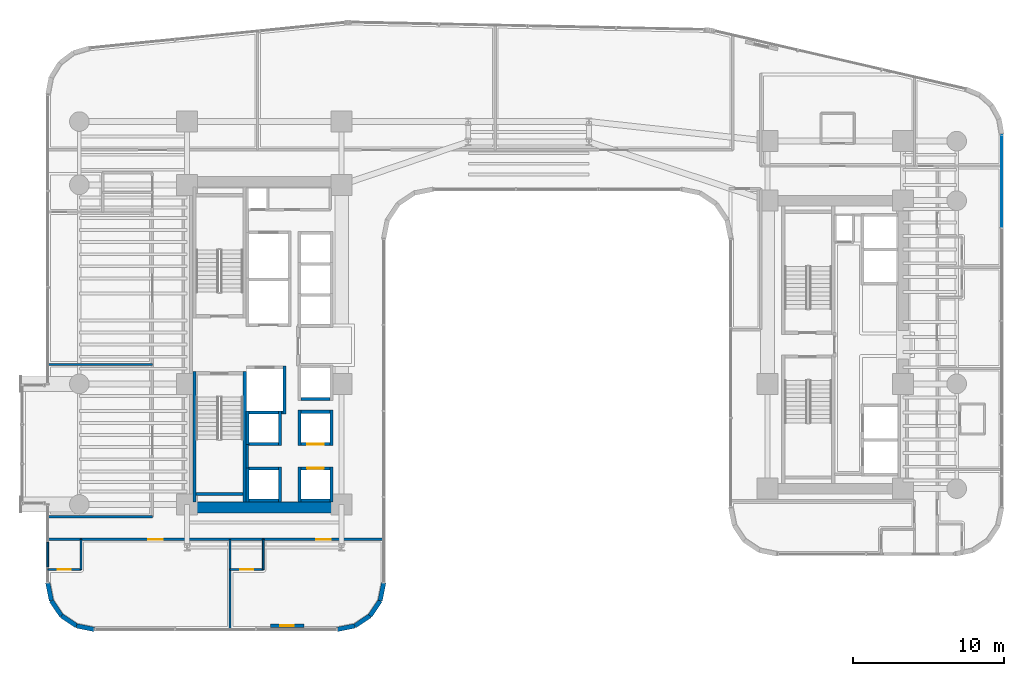
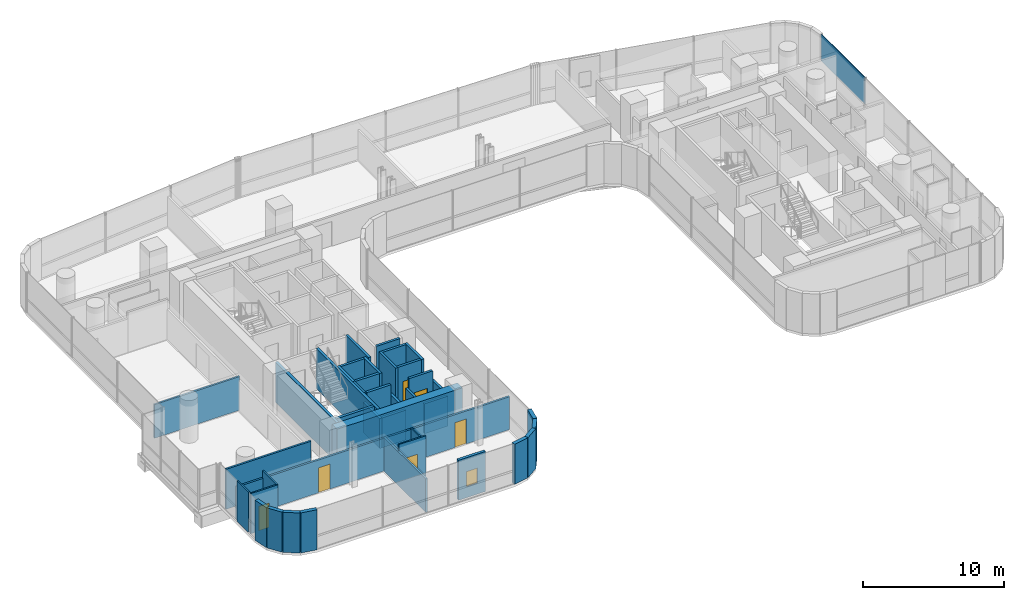
# One storey, part 30 of 40: 41 walls, 6 doors, 1 plate, 1 window, 7 openings, 1 element without a shape of its own.
"""IFC4 building model written with IfcOpenShell, lengths in metres."""

from ifc_helpers import new_model, si_unit, direction, frame, frame_2d, origin, origin_2d, place, context, subcontext, project, spatial, rectangle, extrude, source, transform, mapped, material, layer, layer_set, type_object, element, fill, aggregate, save


model = new_model("IFC4")

# Units and contexts
model_context = context("Model", 3, precision=1e-05, world=origin(), true_north=direction((0.0, 1.0)))
body_context = subcontext(model_context, "Body", "Model", "MODEL_VIEW")
ifc_project = project(units=[si_unit("LENGTHUNIT", "METRE"), si_unit("AREAUNIT", "SQUARE_METRE"), si_unit("VOLUMEUNIT", "CUBIC_METRE"), si_unit("PLANEANGLEUNIT", "RADIAN"), si_unit("MASSUNIT", "GRAM", prefix="KILO")], contexts=[model_context])

# Site, building, storey
site_placement = place(None, origin())
site = spatial("IfcSite", under=ifc_project, at=site_placement, CompositionType="ELEMENT")
building_placement = place(site_placement, origin())
building = spatial("IfcBuilding", under=site, at=building_placement, Name="Valdorenza Pilgrim Sanctuary Tower", CompositionType="ELEMENT")
storey_placement = place(building_placement, frame((0.0, 0.0, 66.699951171875)))
storey = spatial("IfcBuildingStorey", under=building, at=storey_placement, Name="L16", CompositionType="ELEMENT", Elevation=66.699951171875)

# Curtain wall, plate
ifc_material_1 = material(Name="Curtain-wall IGU glazing", Category="glass")
curtain_wall_type = type_object("IfcCurtainWallType", Name="CW-SYS-03", PredefinedType="NOTDEFINED", material=ifc_material_1)
curtain_wall_placement = place(storey_placement, origin())
curtain_wall = element("IfcCurtainWall", 1, at=curtain_wall_placement, inside=storey, type_object=curtain_wall_type, Name="L16 Curtain Wall CW-L16-1-21", PredefinedType="NOTDEFINED")
ifc_material_2 = material(Name="Ceramic-fritted low-E IGU glazing", Category="glass")
ifc_layer_1 = layer(ifc_material_2, 0.035888671875, Name="Ceramic-fritted low-E IGU glazing")
ifc_layer_set_1 = layer_set([ifc_layer_1], Name="Ceramic-fritted low-E IGU glazing")
plate_type = type_object("IfcPlateType", Name="CW-GLZ-IGU", PredefinedType="USERDEFINED", material=ifc_layer_set_1)
shared_shape = source(origin(), body_context, "Body", "SweptSolid", [
    extrude(rectangle(XDim=6.16357421875, YDim=0.050048828125, at=origin_2d()), origin(), (0.0, 0.0, 1.0), 2.320068359375),
])
plate_placement = place(storey_placement, frame((31.389892578125, 10.853271484375, 1.1298828125), z_axis=(0.0, 0.0, 1.0), x_axis=(0.0, -1.0, 0.0)))
plate = element("IfcPlate", 2, at=plate_placement, type_object=plate_type, Name="CW-L16-1-21 Facade Panel 1", ObjectType="GLAZING", PredefinedType="USERDEFINED", context=body_context, shape_type="MappedRepresentation", body=[
    mapped(shared_shape, transform((0.0, 0.0, 0.0), x_axis=(1.0, 0.0, 0.0), y_axis=(0.0, 1.0, 0.0), z_axis=(0.0, 0.0, 1.0), scale=1.0)),
])
aggregate(curtain_wall, [plate])

# Wall
ifc_material_3 = material(Name="Acoustic twin-stud gypsum partition", Category="gypsum")
ifc_layer_2 = layer(ifc_material_3, 0.159912109375, Name="Acoustic twin-stud gypsum partition")
ifc_layer_set_2 = layer_set([ifc_layer_2], Name="Acoustic twin-stud gypsum partition")
wall_type_1 = type_object("IfcWallType", Name="WAL-COR-160", PredefinedType="PARTITIONING", material=ifc_layer_set_2)
wall_1_placement = place(storey_placement, frame((-18.64990234375, -8.179931640625, 0.0), z_axis=(0.0, 0.0, 1.0), x_axis=(0.0, 1.0, 0.0)))
element("IfcWall", 3, at=wall_1_placement, inside=storey, type_object=wall_type_1, Name="L16 Core A South Lift Hall West Wall", PredefinedType="PARTITIONING", context=body_context, shape_type="SweptSolid", body=[
    extrude(rectangle(XDim=1.559814453125, YDim=0.159912109375, at=frame_2d((0.77978515625, 0.0))), origin(), (0.0, 0.0, 1.0), 3.4599609375),
])

# Wall, openings, doors
wall_2_placement = place(storey_placement, frame((-31.889892578125, -12.919921875, 0.0), z_axis=(0.0, 0.0, 1.0), x_axis=(1.0, 0.0, 0.0)))
wall_2 = element("IfcWall", 4, at=wall_2_placement, inside=storey, type_object=wall_type_1, Name="L16 South Wing Corridor Wall", PredefinedType="PARTITIONING", context=body_context, shape_type="SweptSolid", body=[
    extrude(rectangle(XDim=22.27978515625, YDim=0.159912109375, at=frame_2d((11.139892578125, 0.0))), origin(), (0.0, 0.0, 1.0), 2.833984375),
])
opening_1_placement = place(wall_2_placement, frame((6.669921875, 0.0, 0.0)))
opening_1 = element("IfcOpeningElement", 5, at=opening_1_placement, cuts=wall_2, Name="Opening DR-UN1", PredefinedType="OPENING", context=body_context, shape_type="SweptSolid", body=[
    extrude(rectangle(XDim=0.949951171875, YDim=2.14990234375, at=frame_2d((0.47509765625, 1.074951171875))), frame((0.0, 0.0947265625, 0.0), z_axis=(0.0, -1.0, 0.0), x_axis=(1.0, 0.0, 0.0)), (0.0, 0.0, 1.0), 0.189697265625),
])
opening_2_placement = place(wall_2_placement, frame((17.81005859375, 0.0, 0.0)))
opening_2 = element("IfcOpeningElement", 6, at=opening_2_placement, cuts=wall_2, Name="Opening DR-UN1", PredefinedType="OPENING", context=body_context, shape_type="SweptSolid", body=[
    extrude(rectangle(XDim=0.949951171875, YDim=2.14990234375, at=frame_2d((0.47509765625, 1.074951171875))), frame((0.0, 0.0947265625, 0.0), z_axis=(0.0, -1.0, 0.0), x_axis=(1.0, 0.0, 0.0)), (0.0, 0.0, 1.0), 0.189697265625),
])
ifc_material_4 = material(Name="Solid-core European oak timber", Category="wood")
door_type_1 = type_object("IfcDoorType", Name="DR-UNIT-950", OperationType="NOTDEFINED", PredefinedType="DOOR", material=ifc_material_4)
door_1_placement = place(opening_1_placement, origin())
door_1 = element("IfcDoor", 7, at=door_1_placement, inside=storey, type_object=door_type_1, Name="L16 South Guest Room L16-S1 Entrance Door", OperationType="SINGLE_SWING_RIGHT", OverallHeight=2.14990234375, OverallWidth=0.949951171875, PredefinedType="DOOR", context=body_context, shape_type="SweptSolid", body=[
    extrude(rectangle(XDim=0.949951171875, YDim=2.14990234375, at=frame_2d((0.47509765625, 1.074951171875))), frame((0.0, 0.02490234375, 0.0), z_axis=(0.0, -1.0, 0.0), x_axis=(1.0, 0.0, 0.0)), (0.0, 0.0, 1.0), 0.050048828125),
])
fill(opening_1, door_1)
door_2_placement = place(opening_2_placement, origin())
door_2 = element("IfcDoor", 8, at=door_2_placement, inside=storey, type_object=door_type_1, Name="L16 South Guest Room L16-S2 Entrance Door", OperationType="SINGLE_SWING_RIGHT", OverallHeight=2.14990234375, OverallWidth=0.949951171875, PredefinedType="DOOR", context=body_context, shape_type="SweptSolid", body=[
    extrude(rectangle(XDim=0.949951171875, YDim=2.14990234375, at=frame_2d((0.47509765625, 1.074951171875))), frame((0.0, 0.02490234375, 0.0), z_axis=(0.0, -1.0, 0.0), x_axis=(1.0, 0.0, 0.0)), (0.0, 0.0, 1.0), 0.050048828125),
])
fill(opening_2, door_2)

# Walls
wall_3_placement = place(storey_placement, frame((-31.889892578125, -11.419921875, 0.0), z_axis=(0.0, 0.0, 1.0), x_axis=(1.0, 0.0, 0.0)))
element("IfcWall", 9, at=wall_3_placement, inside=storey, type_object=wall_type_1, Name="L16 South-West Corridor North Wall", PredefinedType="PARTITIONING", context=body_context, shape_type="SweptSolid", body=[
    extrude(rectangle(XDim=6.93994140625, YDim=0.159912109375, at=frame_2d((3.469970703125, 0.0))), origin(), (0.0, 0.0, 1.0), 3.4599609375),
])
ifc_material_5 = material(Name="Concrete C60/75", Category="concrete")
ifc_layer_3 = layer(ifc_material_5, 0.699951171875, Name="Concrete C60/75")
ifc_layer_set_3 = layer_set([ifc_layer_3], Name="Concrete C60/75")
wall_type_2 = type_object("IfcWallType", Name="WAL-COR-700", PredefinedType="SHEAR", material=ifc_layer_set_3)
wall_4_placement = place(storey_placement, frame((-22.64990234375, -10.800048828125, 0.0), z_axis=(0.0, 0.0, 1.0), x_axis=(1.0, 0.0, 0.0)))
element("IfcWall", 10, at=wall_4_placement, inside=storey, type_object=wall_type_2, Name="L16 Split Core A Shear Wall S", PredefinedType="SHEAR", context=body_context, shape_type="SweptSolid", body=[
    extrude(rectangle(XDim=10.25, YDim=0.699951171875, at=frame_2d((5.125, 0.0))), origin(), (0.0, 0.0, 1.0), 3.4599609375),
])
ifc_material_6 = material(Name="Honed travertine limestone", Category="masonry")
ifc_layer_4 = layer(ifc_material_6, 0.300048828125, Name="Honed travertine limestone")
ifc_layer_set_4 = layer_set([ifc_layer_4], Name="Honed travertine limestone")
wall_type_3 = type_object("IfcWallType", Name="WAL-EXT-300", PredefinedType="SOLIDWALL", material=ifc_layer_set_4)
wall_5_placement = place(storey_placement, frame((-9.610107421875, -15.789306640625, 0.0), z_axis=(0.0, 0.0, 1.0), x_axis=(-0.194996050505, -0.980804027463, 0.0)))
element("IfcWall", 11, at=wall_5_placement, inside=storey, type_object=wall_type_3, Name="L16 Rounded Wind-Corner Stone Pier 42", PredefinedType="SOLIDWALL", context=body_context, shape_type="SweptSolid", body=[
    extrude(rectangle(XDim=1.2158203125, YDim=0.300048828125, at=frame_2d((0.60791015625, 0.0))), origin(), (0.0, 0.0, 1.0), 3.4599609375),
])
for number, where, z_axis, x_axis, name in (
    (12, (-9.84716796875, -16.981689453125, 0.0), (0.0, 0.0, 1.0), (-0.555635100982, -0.831426265255, 0.0), "L16 Rounded Wind-Corner Stone Pier 43"),
    (13, (-10.5166015625, -17.9833984375, 0.0), (0.0, 0.0, 1.0), (-0.831426265255, -0.555635100982, 0.0), "L16 Rounded Wind-Corner Stone Pier 44"),
):
    element("IfcWall", number, at=place(storey_placement, frame(where, z_axis=z_axis, x_axis=x_axis)), inside=storey, type_object=wall_type_3, Name=name, PredefinedType="SOLIDWALL", context=body_context, shape_type="SweptSolid", body=[
        extrude(rectangle(XDim=1.204833984375, YDim=0.300048828125, at=frame_2d((0.6025390625, 0.0))), origin(), (0.0, 0.0, 1.0), 3.4599609375),
    ])
wall_6_placement = place(storey_placement, frame((-11.518310546875, -18.65283203125, 0.0), z_axis=(0.0, 0.0, 1.0), x_axis=(-0.980804027463, -0.194996050505, 0.0)))
element("IfcWall", 14, at=wall_6_placement, inside=storey, type_object=wall_type_3, Name="L16 Rounded Wind-Corner Stone Pier 45", PredefinedType="SOLIDWALL", context=body_context, shape_type="SweptSolid", body=[
    extrude(rectangle(XDim=1.2158203125, YDim=0.300048828125, at=frame_2d((0.60791015625, 0.0))), origin(), (0.0, 0.0, 1.0), 3.4599609375),
])

# Wall, opening, window
wall_7_placement = place(storey_placement, frame((-14.910888671875, -18.64990234375, 0.0), z_axis=(0.0, 0.0, 1.0), x_axis=(-1.0, 0.0, 0.0)))
wall_7 = element("IfcWall", 15, at=wall_7_placement, inside=storey, type_object=wall_type_3, Name="L16 Operable Ventilation Sash Jamb Pier", PredefinedType="SOLIDWALL", context=body_context, shape_type="SweptSolid", body=[
    extrude(rectangle(XDim=2.199951171875, YDim=0.219970703125, at=frame_2d((1.10009765625, 0.0))), origin(), (0.0, 0.0, 1.0), 3.4599609375),
])
opening_3_placement = place(wall_7_placement, frame((0.64990234375, 0.0, 0.949951171875)))
opening_3 = element("IfcOpeningElement", 16, at=opening_3_placement, cuts=wall_7, Name="Opening WN-OP1", PredefinedType="OPENING", context=body_context, shape_type="SweptSolid", body=[
    extrude(rectangle(XDim=0.89990234375, YDim=1.300048828125, at=frame_2d((0.449951171875, 0.64990234375))), frame((0.0, 0.125, 0.0), z_axis=(0.0, -1.0, 0.0), x_axis=(1.0, 0.0, 0.0)), (0.0, 0.0, 1.0), 0.249755859375),
])
window_type = type_object("IfcWindowType", Name="WIN-OPN-900", PartitioningType="SINGLE_PANEL", PredefinedType="WINDOW", material=ifc_material_2)
window_placement = place(opening_3_placement, origin())
window = element("IfcWindow", 17, at=window_placement, inside=storey, type_object=window_type, Name="L16 Parallel-Pop-Out Operable Facade Panel", OverallHeight=1.300048828125, OverallWidth=0.89990234375, PartitioningType="SINGLE_PANEL", PredefinedType="WINDOW", context=body_context, shape_type="SweptSolid", body=[
    extrude(rectangle(XDim=0.89990234375, YDim=1.300048828125, at=frame_2d((0.449951171875, 0.64990234375))), frame((0.0, 0.030029296875, 0.0), z_axis=(0.0, -1.0, 0.0), x_axis=(1.0, 0.0, 0.0)), (0.0, 0.0, 1.0), 0.06005859375),
])
fill(opening_3, window)

# Walls
wall_8_placement = place(storey_placement, frame((-28.789306640625, -18.889892578125, 0.0), z_axis=(0.0, 0.0, 1.0), x_axis=(-0.980804027463, 0.194996050505, 0.0)))
element("IfcWall", 18, at=wall_8_placement, inside=storey, type_object=wall_type_3, Name="L16 Rounded Wind-Corner Stone Pier 47", PredefinedType="SOLIDWALL", context=body_context, shape_type="SweptSolid", body=[
    extrude(rectangle(XDim=1.2158203125, YDim=0.300048828125, at=frame_2d((0.60791015625, 0.0))), origin(), (0.0, 0.0, 1.0), 3.4599609375),
])
for number, where, z_axis, x_axis, name in (
    (19, (-29.981689453125, -18.65283203125, 0.0), (0.0, 0.0, 1.0), (-0.831426265255, 0.555635100982, 0.0), "L16 Rounded Wind-Corner Stone Pier 48"),
    (20, (-30.9833984375, -17.9833984375, 0.0), (0.0, 0.0, 1.0), (-0.555635100982, 0.831426265255, 0.0), "L16 Rounded Wind-Corner Stone Pier 49"),
):
    element("IfcWall", number, at=place(storey_placement, frame(where, z_axis=z_axis, x_axis=x_axis)), inside=storey, type_object=wall_type_3, Name=name, PredefinedType="SOLIDWALL", context=body_context, shape_type="SweptSolid", body=[
        extrude(rectangle(XDim=1.204833984375, YDim=0.300048828125, at=frame_2d((0.6025390625, 0.0))), origin(), (0.0, 0.0, 1.0), 3.4599609375),
    ])
wall_9_placement = place(storey_placement, frame((-31.65283203125, -16.981689453125, 0.0), z_axis=(0.0, 0.0, 1.0), x_axis=(-0.194996050505, 0.980804027463, 0.0)))
element("IfcWall", 21, at=wall_9_placement, inside=storey, type_object=wall_type_3, Name="L16 Rounded Wind-Corner Stone Pier 50", PredefinedType="SOLIDWALL", context=body_context, shape_type="SweptSolid", body=[
    extrude(rectangle(XDim=1.2158203125, YDim=0.300048828125, at=frame_2d((0.60791015625, 0.0))), origin(), (0.0, 0.0, 1.0), 3.4599609375),
])
ifc_material_7 = material(Name="Moisture-resistant gypsum partition", Category="gypsum")
ifc_layer_5 = layer(ifc_material_7, 0.1201171875, Name="Moisture-resistant gypsum partition")
ifc_layer_set_5 = layer_set([ifc_layer_5], Name="Moisture-resistant gypsum partition")
wall_type_4 = type_object("IfcWallType", Name="WAL-INT-120", PredefinedType="PARTITIONING", material=ifc_layer_set_5)
wall_10_placement = place(storey_placement, frame((-29.68994140625, -14.919921875, 0.0), z_axis=(0.0, 0.0, 1.0), x_axis=(0.0, 1.0, 0.0)))
element("IfcWall", 22, at=wall_10_placement, inside=storey, type_object=wall_type_4, Name="L16 South Guest Room L16-S1 En-suite East Wall", PredefinedType="PARTITIONING", context=body_context, shape_type="SweptSolid", body=[
    extrude(rectangle(XDim=2.0, YDim=0.1201171875, at=frame_2d((1.0, 0.0))), origin(), (0.0, 0.0, 1.0), 3.4599609375),
])

# Wall, opening, door
wall_11_placement = place(storey_placement, frame((-31.889892578125, -14.919921875, 0.0), z_axis=(0.0, 0.0, 1.0), x_axis=(1.0, 0.0, 0.0)))
wall_11 = element("IfcWall", 23, at=wall_11_placement, inside=storey, type_object=wall_type_4, Name="L16 South Guest Room L16-S1 En-suite Door Wall", PredefinedType="PARTITIONING", context=body_context, shape_type="SweptSolid", body=[
    extrude(rectangle(XDim=2.199951171875, YDim=0.1201171875, at=frame_2d((1.10009765625, 0.0))), origin(), (0.0, 0.0, 1.0), 3.4599609375),
])
opening_4_placement = place(wall_11_placement, frame((0.675048828125, 0.0, 0.0)))
opening_4 = element("IfcOpeningElement", 24, at=opening_4_placement, cuts=wall_11, Name="Opening DR-WC1", PredefinedType="OPENING", context=body_context, shape_type="SweptSolid", body=[
    extrude(rectangle(XDim=0.85009765625, YDim=2.10009765625, at=frame_2d((0.425048828125, 1.050048828125))), frame((0.0, 0.074951171875, 0.0), z_axis=(0.0, -1.0, 0.0), x_axis=(1.0, 0.0, 0.0)), (0.0, 0.0, 1.0), 0.14990234375),
])
ifc_material_8 = material(Name="Moisture-resistant lacquered timber", Category="wood")
door_type_2 = type_object("IfcDoorType", Name="DR-BATH-850", OperationType="NOTDEFINED", PredefinedType="DOOR", material=ifc_material_8)
door_3_placement = place(opening_4_placement, origin())
door_3 = element("IfcDoor", 25, at=door_3_placement, inside=storey, type_object=door_type_2, Name="L16 South Guest Room L16-S1 En-suite Bathroom Door", OperationType="SINGLE_SWING_LEFT", OverallHeight=2.10009765625, OverallWidth=0.85009765625, PredefinedType="DOOR", context=body_context, shape_type="SweptSolid", body=[
    extrude(rectangle(XDim=0.85009765625, YDim=2.10009765625, at=frame_2d((0.425048828125, 1.050048828125))), frame((0.0, 0.02490234375, 0.0), z_axis=(0.0, -1.0, 0.0), x_axis=(1.0, 0.0, 0.0)), (0.0, 0.0, 1.0), 0.050048828125),
])
fill(opening_4, door_3)

# Walls
wall_12_placement = place(storey_placement, frame((-31.889892578125, -14.739990234375, 0.0), z_axis=(0.0, 0.0, 1.0), x_axis=(0.0, 1.0, 0.0)))
element("IfcWall", 26, at=wall_12_placement, inside=storey, type_object=wall_type_4, Name="L16 SW-G1-ENS Enclosure Wall W", PredefinedType="PARTITIONING", context=body_context, shape_type="SweptSolid", body=[
    extrude(rectangle(XDim=1.619873046875, YDim=0.1201171875, at=frame_2d((0.81005859375, 0.0))), origin(), (0.0, 0.0, 1.0), 3.4599609375),
])
wall_13_placement = place(storey_placement, frame((-17.60009765625, -14.919921875, 0.0), z_axis=(0.0, 0.0, 1.0), x_axis=(0.0, 1.0, 0.0)))
element("IfcWall", 27, at=wall_13_placement, inside=storey, type_object=wall_type_4, Name="L16 South Guest Room L16-S2 En-suite East Wall", PredefinedType="PARTITIONING", context=body_context, shape_type="SweptSolid", body=[
    extrude(rectangle(XDim=2.0, YDim=0.1201171875, at=frame_2d((1.0, 0.0))), origin(), (0.0, 0.0, 1.0), 2.89599609375),
])

# Wall, opening, door
wall_14_placement = place(storey_placement, frame((-19.800048828125, -14.919921875, 0.0), z_axis=(0.0, 0.0, 1.0), x_axis=(1.0, 0.0, 0.0)))
wall_14 = element("IfcWall", 28, at=wall_14_placement, inside=storey, type_object=wall_type_4, Name="L16 South Guest Room L16-S2 En-suite Door Wall", PredefinedType="PARTITIONING", context=body_context, shape_type="SweptSolid", body=[
    extrude(rectangle(XDim=2.199951171875, YDim=0.1201171875, at=frame_2d((1.10009765625, 0.0))), origin(), (0.0, 0.0, 1.0), 3.4599609375),
])
opening_5_placement = place(wall_14_placement, frame((0.675048828125, 0.0, 0.0)))
opening_5 = element("IfcOpeningElement", 29, at=opening_5_placement, cuts=wall_14, Name="Opening DR-WC1", PredefinedType="OPENING", context=body_context, shape_type="SweptSolid", body=[
    extrude(rectangle(XDim=0.85009765625, YDim=2.10009765625, at=frame_2d((0.425048828125, 1.050048828125))), frame((0.0, 0.074951171875, 0.0), z_axis=(0.0, -1.0, 0.0), x_axis=(1.0, 0.0, 0.0)), (0.0, 0.0, 1.0), 0.14990234375),
])
door_4_placement = place(opening_5_placement, origin())
door_4 = element("IfcDoor", 30, at=door_4_placement, inside=storey, type_object=door_type_2, Name="L16 South Guest Room L16-S2 En-suite Bathroom Door", OperationType="SINGLE_SWING_LEFT", OverallHeight=2.10009765625, OverallWidth=0.85009765625, PredefinedType="DOOR", context=body_context, shape_type="SweptSolid", body=[
    extrude(rectangle(XDim=0.85009765625, YDim=2.10009765625, at=frame_2d((0.425048828125, 1.050048828125))), frame((0.0, 0.02490234375, 0.0), z_axis=(0.0, -1.0, 0.0), x_axis=(1.0, 0.0, 0.0)), (0.0, 0.0, 1.0), 0.050048828125),
])
fill(opening_5, door_4)

# Walls
ifc_material_9 = material(Name="Autoclaved aerated concrete blockwork", Category="masonry")
ifc_layer_6 = layer(ifc_material_9, 0.199951171875, Name="Autoclaved aerated concrete blockwork")
ifc_layer_set_6 = layer_set([ifc_layer_6], Name="Autoclaved aerated concrete blockwork")
wall_type_5 = type_object("IfcWallType", Name="WAL-SHF-200", PredefinedType="MOVABLE", material=ifc_layer_set_6)
wall_15_placement = place(storey_placement, frame((-16.199951171875, -4.60009765625, 0.0), z_axis=(0.0, 0.0, 1.0), x_axis=(0.0, 1.0, 0.0)))
element("IfcWall", 31, at=wall_15_placement, inside=storey, type_object=wall_type_5, Name="L16 Lift FFL-02 Hoistway Wall East", PredefinedType="MOVABLE", context=body_context, shape_type="SweptSolid", body=[
    extrude(rectangle(XDim=3.2001953125, YDim=0.199951171875, at=frame_2d((1.60009765625, 0.0))), origin(), (0.0, 0.0, 1.0), 3.4599609375),
])
wall_16_placement = place(storey_placement, frame((-18.719970703125, -4.5, 0.0), z_axis=(0.0, 0.0, 1.0), x_axis=(1.0, 0.0, 0.0)))
element("IfcWall", 32, at=wall_16_placement, inside=storey, type_object=wall_type_5, Name="L16 Lift FFL-02 Hoistway Wall South", PredefinedType="MOVABLE", context=body_context, shape_type="SweptSolid", body=[
    extrude(rectangle(XDim=2.419921875, YDim=0.199951171875, at=frame_2d((1.2099609375, 0.0))), origin(), (0.0, 0.0, 1.0), 3.4599609375),
])
for number, where, z_axis, x_axis, name in (
    (33, (-15.199951171875, -10.449951171875, 0.0), (0.0, 0.0, 1.0), (0.0, 1.0, 0.0), "L16 Lift PL-01 Hoistway Wall West"),
    (34, (-13.080078125, -10.449951171875, 0.0), (0.0, 0.0, 1.0), (0.0, 1.0, 0.0), "L16 Lift PL-01 Hoistway Wall East"),
):
    element("IfcWall", number, at=place(storey_placement, frame(where, z_axis=z_axis, x_axis=x_axis)), inside=storey, type_object=wall_type_5, Name=name, PredefinedType="MOVABLE", context=body_context, shape_type="SweptSolid", body=[
        extrude(rectangle(XDim=2.349853515625, YDim=0.199951171875, at=frame_2d((1.1748046875, 0.0))), origin(), (0.0, 0.0, 1.0), 2.5830078125),
    ])
wall_17_placement = place(storey_placement, frame((-15.10009765625, -10.35009765625, 0.0), z_axis=(0.0, 0.0, 1.0), x_axis=(1.0, 0.0, 0.0)))
element("IfcWall", 35, at=wall_17_placement, inside=storey, type_object=wall_type_5, Name="L16 Lift PL-01 Hoistway Wall South", PredefinedType="MOVABLE", context=body_context, shape_type="SweptSolid", body=[
    extrude(rectangle(XDim=1.920166015625, YDim=0.199951171875, at=frame_2d((0.9599609375, 0.0))), origin(), (0.0, 0.0, 1.0), 2.5830078125),
])

# Wall, opening, door
wall_18_placement = place(storey_placement, frame((-15.10009765625, -8.199951171875, 0.0), z_axis=(0.0, 0.0, 1.0), x_axis=(1.0, 0.0, 0.0)))
wall_18 = element("IfcWall", 36, at=wall_18_placement, inside=storey, type_object=wall_type_5, Name="L16 Lift PL-01 Hoistway Wall North", PredefinedType="MOVABLE", context=body_context, shape_type="SweptSolid", body=[
    extrude(rectangle(XDim=1.920166015625, YDim=0.199951171875, at=frame_2d((0.9599609375, 0.0))), origin(), (0.0, 0.0, 1.0), 3.4599609375),
])
opening_6_placement = place(wall_18_placement, frame((0.409912109375, 0.0, 0.0)))
opening_6 = element("IfcOpeningElement", 37, at=opening_6_placement, cuts=wall_18, Name="Opening LD-01", PredefinedType="OPENING", context=body_context, shape_type="SweptSolid", body=[
    extrude(rectangle(XDim=1.10009765625, YDim=2.10009765625, at=frame_2d((0.550048828125, 1.050048828125))), frame((0.0, 0.11474609375, 0.0), z_axis=(0.0, -1.0, 0.0), x_axis=(1.0, 0.0, 0.0)), (0.0, 0.0, 1.0), 0.229736328125),
])
ifc_material_10 = material(Name="Brushed stainless steel Grade 316", Category="steel")
door_type_3 = type_object("IfcDoorType", Name="DR-LFT-1100", OperationType="DOUBLE_DOOR_SLIDING", PredefinedType="DOOR", material=ifc_material_10)
door_5_placement = place(opening_6_placement, origin())
door_5 = element("IfcDoor", 38, at=door_5_placement, inside=storey, type_object=door_type_3, Name="L16 Lift PL-01 Sliding Landing Door", OperationType="DOUBLE_DOOR_SLIDING", OverallHeight=2.10009765625, OverallWidth=1.10009765625, PredefinedType="DOOR", context=body_context, shape_type="SweptSolid", body=[
    extrude(rectangle(XDim=1.10009765625, YDim=2.10009765625, at=frame_2d((0.550048828125, 1.050048828125))), frame((0.0, 0.02490234375, 0.0), z_axis=(0.0, -1.0, 0.0), x_axis=(1.0, 0.0, 0.0)), (0.0, 0.0, 1.0), 0.050048828125),
])
fill(opening_6, door_5)

# Walls
for number, where, z_axis, x_axis, name in (
    (39, (-15.199951171875, -6.699951171875, 0.0), (0.0, 0.0, 1.0), (0.0, 1.0, 0.0), "L16 Lift PL-02 Hoistway Wall West"),
    (40, (-13.080078125, -6.699951171875, 0.0), (0.0, 0.0, 1.0), (0.0, 1.0, 0.0), "L16 Lift PL-02 Hoistway Wall East"),
):
    element("IfcWall", number, at=place(storey_placement, frame(where, z_axis=z_axis, x_axis=x_axis)), inside=storey, type_object=wall_type_5, Name=name, PredefinedType="MOVABLE", context=body_context, shape_type="SweptSolid", body=[
        extrude(rectangle(XDim=2.349853515625, YDim=0.199951171875, at=frame_2d((1.1748046875, 0.0))), origin(), (0.0, 0.0, 1.0), 3.4599609375),
    ])

# Wall, opening, door
wall_19_placement = place(storey_placement, frame((-15.10009765625, -6.60009765625, 0.0), z_axis=(0.0, 0.0, 1.0), x_axis=(1.0, 0.0, 0.0)))
wall_19 = element("IfcWall", 41, at=wall_19_placement, inside=storey, type_object=wall_type_5, Name="L16 Lift PL-02 Hoistway Wall South", PredefinedType="MOVABLE", context=body_context, shape_type="SweptSolid", body=[
    extrude(rectangle(XDim=1.920166015625, YDim=0.199951171875, at=frame_2d((0.9599609375, 0.0))), origin(), (0.0, 0.0, 1.0), 3.4599609375),
])
opening_7_placement = place(wall_19_placement, frame((0.409912109375, 0.0, 0.0)))
opening_7 = element("IfcOpeningElement", 42, at=opening_7_placement, cuts=wall_19, Name="Opening LD-01", PredefinedType="OPENING", context=body_context, shape_type="SweptSolid", body=[
    extrude(rectangle(XDim=1.10009765625, YDim=2.10009765625, at=frame_2d((0.550048828125, 1.050048828125))), frame((0.0, 0.11474609375, 0.0), z_axis=(0.0, -1.0, 0.0), x_axis=(1.0, 0.0, 0.0)), (0.0, 0.0, 1.0), 0.229736328125),
])
door_6_placement = place(opening_7_placement, origin())
door_6 = element("IfcDoor", 43, at=door_6_placement, inside=storey, type_object=door_type_3, Name="L16 Lift PL-02 Sliding Landing Door", OperationType="DOUBLE_DOOR_SLIDING", OverallHeight=2.10009765625, OverallWidth=1.10009765625, PredefinedType="DOOR", context=body_context, shape_type="SweptSolid", body=[
    extrude(rectangle(XDim=1.10009765625, YDim=2.10009765625, at=frame_2d((0.550048828125, 1.050048828125))), frame((0.0, 0.02490234375, 0.0), z_axis=(0.0, -1.0, 0.0), x_axis=(1.0, 0.0, 0.0)), (0.0, 0.0, 1.0), 0.050048828125),
])
fill(opening_7, door_6)

# Walls
wall_20_placement = place(storey_placement, frame((-15.10009765625, -4.449951171875, 0.0), z_axis=(0.0, 0.0, 1.0), x_axis=(1.0, 0.0, 0.0)))
element("IfcWall", 44, at=wall_20_placement, inside=storey, type_object=wall_type_5, Name="L16 Lift PL-02 Hoistway Wall North", PredefinedType="MOVABLE", context=body_context, shape_type="SweptSolid", body=[
    extrude(rectangle(XDim=1.920166015625, YDim=0.199951171875, at=frame_2d((0.9599609375, 0.0))), origin(), (0.0, 0.0, 1.0), 3.4599609375),
])
for number, where, z_axis, x_axis, name in (
    (45, (-18.64990234375, -10.449951171875, 0.0), (0.0, 0.0, 1.0), (0.0, 1.0, 0.0), "L16 Lift PL-05 Hoistway Wall West"),
    (46, (-16.5, -10.449951171875, 0.0), (0.0, 0.0, 1.0), (0.0, 1.0, 0.0), "L16 Lift PL-05 Hoistway Wall East"),
):
    element("IfcWall", number, at=place(storey_placement, frame(where, z_axis=z_axis, x_axis=x_axis)), inside=storey, type_object=wall_type_5, Name=name, PredefinedType="MOVABLE", context=body_context, shape_type="SweptSolid", body=[
        extrude(rectangle(XDim=2.349853515625, YDim=0.199951171875, at=frame_2d((1.1748046875, 0.0))), origin(), (0.0, 0.0, 1.0), 2.5830078125),
    ])
wall_21_placement = place(storey_placement, frame((-18.550048828125, -10.35009765625, 0.0), z_axis=(0.0, 0.0, 1.0), x_axis=(1.0, 0.0, 0.0)))
element("IfcWall", 47, at=wall_21_placement, inside=storey, type_object=wall_type_5, Name="L16 Lift PL-05 Hoistway Wall South", PredefinedType="MOVABLE", context=body_context, shape_type="SweptSolid", body=[
    extrude(rectangle(XDim=1.949951171875, YDim=0.199951171875, at=frame_2d((0.97509765625, 0.0))), origin(), (0.0, 0.0, 1.0), 2.5830078125),
])
wall_22_placement = place(storey_placement, frame((-18.550048828125, -8.199951171875, 0.0), z_axis=(0.0, 0.0, 1.0), x_axis=(1.0, 0.0, 0.0)))
element("IfcWall", 48, at=wall_22_placement, inside=storey, type_object=wall_type_5, Name="L16 Lift PL-05 Hoistway Wall North", PredefinedType="MOVABLE", context=body_context, shape_type="SweptSolid", body=[
    extrude(rectangle(XDim=1.949951171875, YDim=0.199951171875, at=frame_2d((0.97509765625, 0.0))), origin(), (0.0, 0.0, 1.0), 3.4599609375),
])
for number, where, z_axis, x_axis, name in (
    (49, (-18.64990234375, -6.699951171875, 0.0), (0.0, 0.0, 1.0), (0.0, 1.0, 0.0), "L16 Lift PL-11 Hoistway Wall West"),
    (50, (-16.5, -6.699951171875, 0.0), (0.0, 0.0, 1.0), (0.0, 1.0, 0.0), "L16 Lift PL-11 Hoistway Wall East"),
):
    element("IfcWall", number, at=place(storey_placement, frame(where, z_axis=z_axis, x_axis=x_axis)), inside=storey, type_object=wall_type_5, Name=name, PredefinedType="MOVABLE", context=body_context, shape_type="SweptSolid", body=[
        extrude(rectangle(XDim=2.300048828125, YDim=0.199951171875, at=frame_2d((1.14990234375, 0.0))), origin(), (0.0, 0.0, 1.0), 3.4599609375),
    ])
wall_23_placement = place(storey_placement, frame((-18.550048828125, -6.60009765625, 0.0), z_axis=(0.0, 0.0, 1.0), x_axis=(1.0, 0.0, 0.0)))
element("IfcWall", 51, at=wall_23_placement, inside=storey, type_object=wall_type_5, Name="L16 Lift PL-11 Hoistway Wall South", PredefinedType="MOVABLE", context=body_context, shape_type="SweptSolid", body=[
    extrude(rectangle(XDim=1.949951171875, YDim=0.199951171875, at=frame_2d((0.97509765625, 0.0))), origin(), (0.0, 0.0, 1.0), 3.4599609375),
])
wall_24_placement = place(storey_placement, frame((-15.10009765625, -3.60009765625, 0.0), z_axis=(0.0, 0.0, 1.0), x_axis=(1.0, 0.0, 0.0)))
element("IfcWall", 52, at=wall_24_placement, inside=storey, type_object=wall_type_5, Name="L16 Lift PL-12 Hoistway Wall South", PredefinedType="MOVABLE", context=body_context, shape_type="SweptSolid", body=[
    extrude(rectangle(XDim=1.920166015625, YDim=0.199951171875, at=frame_2d((0.9599609375, 0.0))), origin(), (0.0, 0.0, 1.0), 3.4599609375),
])
ifc_material_11 = material(Name="Concrete C40/50", Category="concrete")
ifc_layer_7 = layer(ifc_material_11, 0.219970703125, Name="Concrete C40/50")
ifc_layer_set_7 = layer_set([ifc_layer_7], Name="Concrete C40/50")
wall_type_6 = type_object("IfcWallType", Name="WAL-STR-SHF-220", PredefinedType="SHEAR", material=ifc_layer_set_7)
for number, where, z_axis, x_axis, name in (
    (53, (-22.159912109375, -10.449951171875, 0.0), (0.0, 0.0, 1.0), (0.0, 1.0, 0.0), "L16 ST-A2 Structural Stairwell Wall W"),
    (54, (-18.830078125, -10.449951171875, 0.0), (0.0, 0.0, 1.0), (0.0, 1.0, 0.0), "L16 ST-A2 Structural Stairwell Wall E"),
):
    element("IfcWall", number, at=place(storey_placement, frame(where, z_axis=z_axis, x_axis=x_axis)), inside=storey, type_object=wall_type_6, Name=name, PredefinedType="SHEAR", context=body_context, shape_type="SweptSolid", body=[
        extrude(rectangle(XDim=8.669921875, YDim=0.219970703125, at=frame_2d((4.3349609375, 0.0))), origin(), (0.0, 0.0, 1.0), 3.4599609375),
    ])
wall_25_placement = place(storey_placement, frame((-22.050048828125, -9.909912109375, 0.0), z_axis=(0.0, 0.0, 1.0), x_axis=(1.0, 0.0, 0.0)))
element("IfcWall", 55, at=wall_25_placement, inside=storey, type_object=wall_type_6, Name="L16 ST-A2 Structural Stairwell Wall S", PredefinedType="SHEAR", context=body_context, shape_type="SweptSolid", body=[
    extrude(rectangle(XDim=3.110107421875, YDim=0.219970703125, at=frame_2d((1.55517578125, 0.0))), origin(), (0.0, 0.0, 1.0), 3.4599609375),
])
ifc_layer_8 = layer(ifc_material_3, 0.14990234375, Name="Acoustic twin-stud gypsum partition")
ifc_layer_set_8 = layer_set([ifc_layer_8], Name="Acoustic twin-stud gypsum partition")
wall_type_7 = type_object("IfcWallType", Name="WAL-UNT-150", PredefinedType="PARTITIONING", material=ifc_layer_set_8)
wall_26_placement = place(storey_placement, frame((-31.889892578125, -1.31005859375, 0.0), z_axis=(0.0, 0.0, 1.0), x_axis=(1.0, 0.0, 0.0)))
element("IfcWall", 56, at=wall_26_placement, inside=storey, type_object=wall_type_7, Name="L16 Theological Seminar Classroom L16-WH2 Demising Wall", PredefinedType="PARTITIONING", context=body_context, shape_type="SweptSolid", body=[
    extrude(rectangle(XDim=6.93994140625, YDim=0.14990234375, at=frame_2d((3.469970703125, 0.0))), origin(), (0.0, 0.0, 1.0), 2.89599609375),
])
wall_27_placement = place(storey_placement, frame((-19.800048828125, -18.889892578125, 0.0), z_axis=(0.0, 0.0, 1.0), x_axis=(0.0, 1.0, 0.0)))
element("IfcWall", 57, at=wall_27_placement, inside=storey, type_object=wall_type_7, Name="L16 South Demising 1", PredefinedType="PARTITIONING", context=body_context, shape_type="SweptSolid", body=[
    extrude(rectangle(XDim=5.969970703125, YDim=0.14990234375, at=frame_2d((2.98486328125, 0.0))), origin(), (0.0, 0.0, 1.0), 2.89599609375),
])

save(model, "model.ifc")
